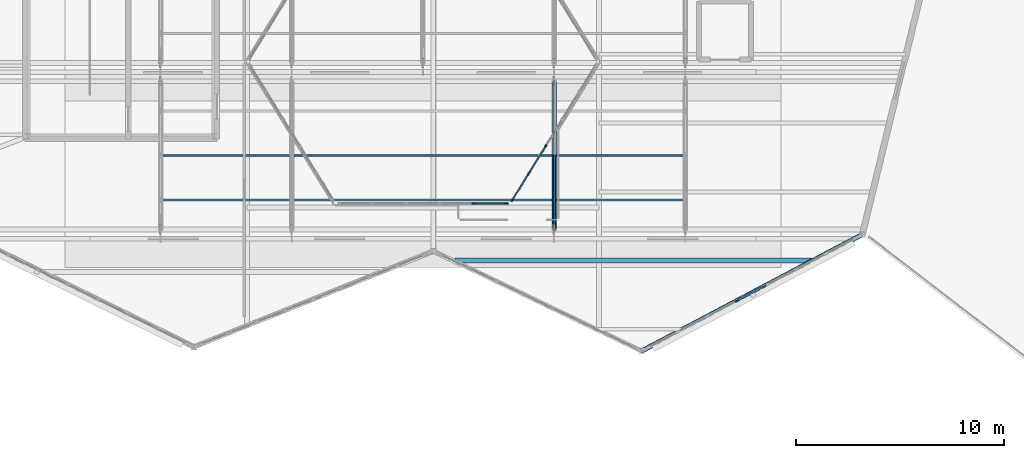
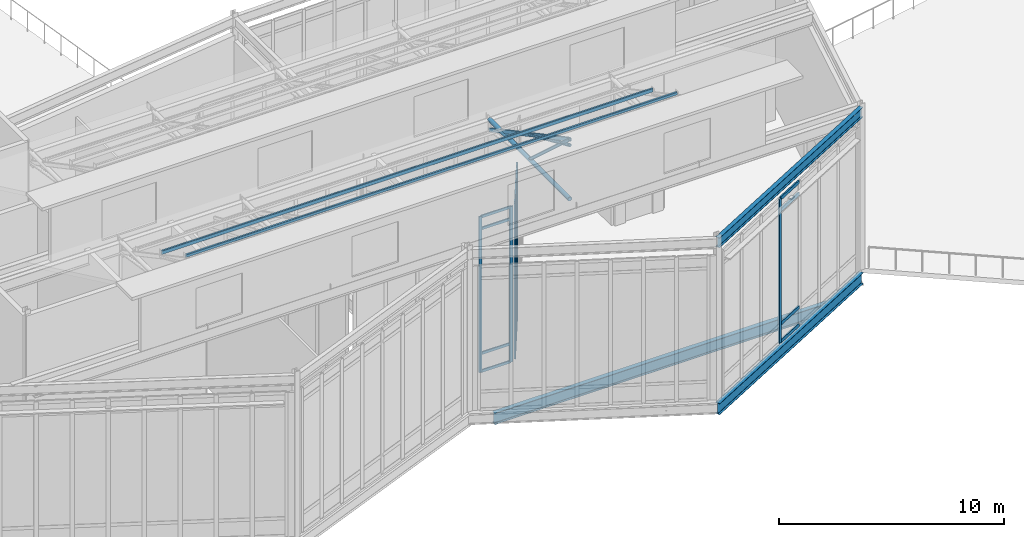
# One storey, part 17 of 66: 26 members, 5 beams, 3 elements without a shape of their own.
"""IFC4 building model written with IfcOpenShell, lengths in metres."""

import ifcopenshell
import ifcopenshell.guid

model = None  # the IFC model being written
_history = None  # IfcOwnerHistory: only IFC2X3 demands one
_inside = {}  # id of a spatial element -> (the spatial element, [elements in it])
_under = {}  # id of a project, library or spatial element -> (it, [spatial elements below it])
_declared = {}  # id of a project -> (the project, [libraries it declares])
_typed = {}  # id of a type object -> (the type object, [elements of that type])
_made_of = {}  # id of a material, layer set ... -> (it, [elements and type objects made of it])


def new_model(schema):
    """Start an empty IFC model of exactly this schema.

    Asked for "IFC4X3", IfcOpenShell would pick the latest addendum, in which some entities
    have other attributes; the version numbers below select the first issue.
    IFC2X3 requires an IfcOwnerHistory on every rooted entity: one is made here for all.
    """
    global model, _history
    if schema == "IFC4X3":
        model = ifcopenshell.file(schema_version=(4, 3, 0, 0))
    else:
        model = ifcopenshell.file(schema=schema)
    _inside.clear()
    _under.clear()
    _declared.clear()
    _typed.clear()
    _made_of.clear()
    _history = None
    if model.schema == "IFC2X3":
        org = make("IfcOrganization", Name="unknown")
        user = make(
            "IfcPersonAndOrganization",
            ThePerson=make("IfcPerson", FamilyName="unknown"),
            TheOrganization=org,
        )
        app = make(
            "IfcApplication",
            ApplicationDeveloper=org,
            Version="unknown",
            ApplicationFullName="unknown",
            ApplicationIdentifier="unknown",
        )
        _history = make(
            "IfcOwnerHistory",
            OwningUser=user,
            OwningApplication=app,
            ChangeAction="ADDED",
            CreationDate=0,
        )
    return model


def make(cls, **values):
    """One entity of the class cls with the attributes given. An attribute that is None is left unset."""
    return model.create_entity(
        cls, **{name: value for name, value in values.items() if value is not None}
    )


def rooted(cls, **values):
    """An entity with a GlobalId (a new one), such as an element, a storey or a relation."""
    return make(cls, GlobalId=ifcopenshell.guid.new(), OwnerHistory=_history, **values)


def si_unit(unit_type, name, prefix=None):
    """IfcSIUnit, for example si_unit("LENGTHUNIT", "METRE", prefix="MILLI")."""
    return make("IfcSIUnit", UnitType=unit_type, Prefix=prefix, Name=name)


def assignment(units):
    """IfcUnitAssignment: the units of a project."""
    return None if units is None else make("IfcUnitAssignment", Units=units)


def point(xyz):
    """IfcCartesianPoint."""
    return None if xyz is None else make("IfcCartesianPoint", Coordinates=xyz)


def direction(xyz):
    """IfcDirection."""
    return None if xyz is None else make("IfcDirection", DirectionRatios=xyz)


def frame(location, z_axis=None, x_axis=None):
    """IfcAxis2Placement3D, a coordinate frame: its origin and axes. An axis left out is left unset."""
    return make(
        "IfcAxis2Placement3D",
        Location=point(location),
        Axis=direction(z_axis),
        RefDirection=direction(x_axis),
    )


def frame_2d(location, x_axis=None):
    """IfcAxis2Placement2D, a coordinate frame in the plane: its origin and x axis."""
    return make(
        "IfcAxis2Placement2D", Location=point(location), RefDirection=direction(x_axis)
    )


def origin():
    """The frame at (0, 0, 0) with its axes left unset."""
    return frame((0.0, 0.0, 0.0))


def origin_2d():
    """The frame at (0, 0) in the plane with its x axis left unset."""
    return frame_2d((0.0, 0.0))


def place(relative_to, where):
    """IfcLocalPlacement: puts the frame where relative to a parent placement (None: the world)."""
    return make(
        "IfcLocalPlacement", PlacementRelTo=relative_to, RelativePlacement=where
    )


def context(
    kind, dimensions, precision=None, world=None, true_north=None, identifier=None
):
    """IfcGeometricRepresentationContext, for example the 3D "Model" context."""
    return make(
        "IfcGeometricRepresentationContext",
        ContextIdentifier=identifier,
        ContextType=kind,
        CoordinateSpaceDimension=dimensions,
        Precision=precision,
        WorldCoordinateSystem=world,
        TrueNorth=true_north,
    )


def subcontext(parent, identifier, kind, view, scale=None):
    """IfcGeometricRepresentationSubContext, for example "Body" below "Model"."""
    return make(
        "IfcGeometricRepresentationSubContext",
        ContextIdentifier=identifier,
        ContextType=kind,
        ParentContext=parent,
        TargetScale=scale,
        TargetView=view,
    )


def project(units=None, contexts=None):
    """IfcProject with its units and contexts."""
    return rooted(
        "IfcProject",
        Name="project",
        RepresentationContexts=contexts,
        UnitsInContext=assignment(units),
    )


def spatial(cls, under=None, at=None, **own):
    """A site, building, storey or space (cls), placed at a placement, below another one or the project."""
    s = rooted(cls, ObjectPlacement=at, **own)
    if under is not None:
        _under.setdefault(under.id(), (under, []))[1].append(s)
    return s


def profile(cls, at=None, kind="AREA", **sizes):
    """A parametric profile (cls). Its sizes go by their IFC names, for example OverallWidth=200.0."""
    return make(cls, ProfileType=kind, Position=at, **sizes)


def rectangle(**sizes):
    """IfcRectangleProfileDef."""
    return profile("IfcRectangleProfileDef", **sizes)


def hollow_rectangle(**sizes):
    """IfcRectangleHollowProfileDef."""
    return profile("IfcRectangleHollowProfileDef", **sizes)


def hollow_circle(**sizes):
    """IfcCircleHollowProfileDef."""
    return profile("IfcCircleHollowProfileDef", **sizes)


def i_section(**sizes):
    """IfcIShapeProfileDef."""
    return profile("IfcIShapeProfileDef", **sizes)


def extrude(swept, where, along, depth):
    """IfcExtrudedAreaSolid: the profile swept, set in the frame where, extruded along a direction by depth."""
    return make(
        "IfcExtrudedAreaSolid",
        SweptArea=swept,
        Position=where,
        ExtrudedDirection=direction(along),
        Depth=depth,
    )


def shape(context_of_items, identifier, shape_type, items):
    """IfcShapeRepresentation: the items that make up one representation, for example the "Body"."""
    return make(
        "IfcShapeRepresentation",
        ContextOfItems=context_of_items,
        RepresentationIdentifier=identifier,
        RepresentationType=shape_type,
        Items=items,
    )


def material(Name=None, Category=None):
    """IfcMaterial."""
    return make("IfcMaterial", Name=Name, Category=Category)


def material_profile(
    of_material, cross_section, Name=None, Category=None, Priority=None
):
    """IfcMaterialProfile: a cross section and its material."""
    return make(
        "IfcMaterialProfile",
        Name=Name,
        Material=of_material,
        Profile=cross_section,
        Priority=Priority,
        Category=Category,
    )


def profile_set(profiles, Name=None, composite=None):
    """IfcMaterialProfileSet."""
    return make(
        "IfcMaterialProfileSet",
        Name=Name,
        MaterialProfiles=profiles,
        CompositeProfile=composite,
    )


def made_of(thing, what):
    """Note that an element or type object is made of a material, layer set ...; save() writes the relation."""
    if what is not None:
        _made_of.setdefault(what.id(), (what, []))[1].append(thing)
    return thing


def type_object(cls, material=None, **own):
    """A type object (cls), such as IfcWallType, which elements share."""
    return made_of(rooted(cls, **own), material)


def element(
    cls,
    number,
    at=None,
    inside=None,
    cuts=None,
    type_object=None,
    material=None,
    context=None,
    identifier="Body",
    shape_type=None,
    held_by="IfcProductDefinitionShape",
    body=None,
    shapes=None,
    **own,
):
    """One element of the class cls, such as IfcWall. Its Tag is "e" and its number.

    at: its placement. inside: the storey or other place that contains it. cuts: it is an
    opening in that element (IfcRelVoidsElement). A single representation is given by context,
    identifier, shape_type and body (its items); several are given by shapes. held_by: the class
    of the entity that holds the representations. save() writes the other relations.
    """
    e = rooted(cls, Tag="e%d" % number, ObjectPlacement=at, **own)
    if body is not None:
        shapes = [shape(context, identifier, shape_type, body)]
    if shapes is not None:
        e.Representation = make(held_by, Representations=shapes)
    if inside is not None:
        _inside.setdefault(inside.id(), (inside, []))[1].append(e)
    if cuts is not None:
        rooted(
            "IfcRelVoidsElement", RelatingBuildingElement=cuts, RelatedOpeningElement=e
        )
    if type_object is not None:
        _typed.setdefault(type_object.id(), (type_object, []))[1].append(e)
    return made_of(e, material)


def aggregate(whole, parts):
    """IfcRelAggregates: a whole, such as a stair, and the parts it consists of."""
    return rooted("IfcRelAggregates", RelatingObject=whole, RelatedObjects=parts)


def save(model, path):
    """Write the relations noted so far, then the file.

    IfcRelAggregates (storeys below a building ...), IfcRelContainedInSpatialStructure (elements
    in a storey), IfcRelDefinesByType, IfcRelAssociatesMaterial and IfcRelDeclares: one each for
    every whole, place, type object, material and project.
    """
    for whole, parts in _under.values():
        aggregate(whole, parts)
    for where, things in _inside.values():
        rooted(
            "IfcRelContainedInSpatialStructure",
            RelatedElements=things,
            RelatingStructure=where,
        )
    for kind, things in _typed.values():
        rooted("IfcRelDefinesByType", RelatedObjects=things, RelatingType=kind)
    for what, things in _made_of.values():
        rooted("IfcRelAssociatesMaterial", RelatedObjects=things, RelatingMaterial=what)
    for by, libraries in _declared.values():
        rooted("IfcRelDeclares", RelatingContext=by, RelatedDefinitions=libraries)
    model.write(path)


model = new_model("IFC4")

# Units and contexts
model_context = context("Model", 3, precision=1e-05, world=origin(), true_north=direction((0.0, 1.0)))
body_context = subcontext(model_context, "Body", "Model", "MODEL_VIEW")
ifc_project = project(units=[si_unit("LENGTHUNIT", "METRE"), si_unit("AREAUNIT", "SQUARE_METRE"), si_unit("VOLUMEUNIT", "CUBIC_METRE"), si_unit("PLANEANGLEUNIT", "RADIAN"), si_unit("MASSUNIT", "GRAM", prefix="KILO")], contexts=[model_context])

# Site, building, storey
site_placement = place(None, origin())
site = spatial("IfcSite", under=ifc_project, at=site_placement, CompositionType="ELEMENT")
building_placement = place(site_placement, origin())
building = spatial("IfcBuilding", under=site, at=building_placement, Name="Tameran Prism Museum", CompositionType="ELEMENT")
storey_placement = place(building_placement, frame((0.0, 0.0, 19.800048828125)))
storey = spatial("IfcBuildingStorey", under=building, at=storey_placement, Name="L04", CompositionType="ELEMENT", Elevation=19.800048828125)

# Beams
ifc_material_1 = material(Name="Steel Grade C350L0 (350 MPa)", Category="steel")
ifc_material_profile_1 = material_profile(ifc_material_1, hollow_rectangle(XDim=0.10009765625, YDim=0.14990234375, WallThickness=0.006103515625, InnerFilletRadius=0.009033203125, OuterFilletRadius=0.014892578125, at=origin_2d()))
ifc_profile_set_1 = profile_set([ifc_material_profile_1])
beam_type_1 = type_object("IfcBeamType", Name="BM-PUR150", PredefinedType="USERDEFINED", material=ifc_profile_set_1)
beam_1_placement = place(storey_placement, frame((64.39990234375, 29.864013671875, 11.4560546875), z_axis=(1.0, 0.0, 0.0), x_axis=(0.0, 1.0, 0.0)))
element("IfcBeam", 1, at=beam_1_placement, inside=storey, type_object=beam_type_1, Name="Sawtooth Purlin PR-031", ObjectType="PURLIN", PredefinedType="USERDEFINED", context=body_context, shape_type="SweptSolid", body=[
    extrude(hollow_rectangle(XDim=0.10009765625, YDim=0.14990234375, WallThickness=0.006103515625, InnerFilletRadius=0.009033203125, OuterFilletRadius=0.014892578125, at=origin_2d()), origin(), (0.0, 0.0, 1.0), 25.2001953125),
])
ifc_material_2 = material(Name="Steel Grade C350L0 (350 MPa)", Category="steel")
ifc_material_profile_2 = material_profile(ifc_material_2, hollow_rectangle(XDim=0.10009765625, YDim=0.199951171875, WallThickness=0.008056640625, InnerFilletRadius=0.011962890625, OuterFilletRadius=0.02001953125, at=origin_2d()))
ifc_profile_set_2 = profile_set([ifc_material_profile_2])
beam_type_2 = type_object("IfcBeamType", Name="BM-PUR200", PredefinedType="USERDEFINED", material=ifc_profile_set_2)
beam_2_placement = place(storey_placement, frame((64.39990234375, 32.0, 10.343994140625), z_axis=(1.0, 0.0, 0.0), x_axis=(0.0, 1.0, 0.0)))
element("IfcBeam", 2, at=beam_2_placement, inside=storey, type_object=beam_type_2, Name="Sawtooth Purlin PR-032", ObjectType="PURLIN", PredefinedType="USERDEFINED", context=body_context, shape_type="SweptSolid", body=[
    extrude(hollow_rectangle(XDim=0.10009765625, YDim=0.199951171875, WallThickness=0.008056640625, InnerFilletRadius=0.011962890625, OuterFilletRadius=0.02001953125, at=origin_2d()), origin(), (0.0, 0.0, 1.0), 25.2001953125),
])
ifc_material_3 = material(Name="Steel Grade 300PLUS (300 MPa)", Category="steel")
ifc_material_profile_3 = material_profile(ifc_material_3, i_section(OverallWidth=0.208984375, OverallDepth=0.528076171875, WebThickness=0.009521484375, FlangeThickness=0.01318359375, FilletRadius=0.013916015625, at=origin_2d()))
ifc_profile_set_3 = profile_set([ifc_material_profile_3])
beam_type_3 = type_object("IfcBeamType", Name="BM-SP530B", PredefinedType="SPANDREL", material=ifc_profile_set_3)
beam_3_placement = place(storey_placement, frame((87.5, 22.60009765625, 8.505859375), z_axis=(0.884200208153, 0.46710811586, 0.0), x_axis=(-0.46710811586, 0.884200208153, 0.0)))
element("IfcBeam", 3, at=beam_3_placement, inside=storey, type_object=beam_type_3, Name="Roof Ring Beam RB-1173", PredefinedType="SPANDREL", context=body_context, shape_type="SweptSolid", body=[
    extrude(i_section(OverallWidth=0.208984375, OverallDepth=0.528076171875, WebThickness=0.009521484375, FlangeThickness=0.01318359375, FilletRadius=0.013916015625, at=origin_2d()), origin(), (0.0, 0.0, 1.0), 11.98828125),
])
ifc_material_4 = material(Name="Steel Grade 300PLUS (300 MPa)", Category="steel")
ifc_material_profile_4 = material_profile(ifc_material_4, i_section(OverallWidth=0.22802734375, OverallDepth=0.60205078125, WebThickness=0.010498046875, FlangeThickness=0.014892578125, FilletRadius=0.013916015625, at=origin_2d()))
ifc_profile_set_4 = profile_set([ifc_material_profile_4])
beam_type_4 = type_object("IfcBeamType", Name="BM-SP610", PredefinedType="SPANDREL", material=ifc_profile_set_4)
beam_4_placement = place(storey_placement, frame((87.5, 22.60009765625, -0.5009765625), z_axis=(0.884200208153, 0.46710811586, 0.0), x_axis=(-0.46710811586, 0.884200208153, 0.0)))
element("IfcBeam", 4, at=beam_4_placement, inside=storey, type_object=beam_type_4, Name="Perimeter Spandrel SP-1168", PredefinedType="SPANDREL", context=body_context, shape_type="SweptSolid", body=[
    extrude(i_section(OverallWidth=0.22802734375, OverallDepth=0.60205078125, WebThickness=0.010498046875, FlangeThickness=0.014892578125, FilletRadius=0.013916015625, at=origin_2d()), origin(), (0.0, 0.0, 1.0), 11.98828125),
])
ifc_material_5 = material(Name="Steel Grade 300PLUS (300 MPa)", Category="steel")
ifc_material_profile_5 = material_profile(ifc_material_5, i_section(OverallWidth=0.22802734375, OverallDepth=0.60693359375, WebThickness=0.01123046875, FlangeThickness=0.017333984375, FilletRadius=0.013916015625, at=origin_2d()))
ifc_profile_set_5 = profile_set([ifc_material_profile_5])
beam_type_5 = type_object("IfcBeamType", Name="BM-UB610B", PredefinedType="BEAM", material=ifc_profile_set_5)
beam_5_placement = place(storey_placement, frame((78.530029296875, 26.949951171875, -0.503662109375), z_axis=(1.0, 0.0, 0.0), x_axis=(0.0, 1.0, 0.0)))
element("IfcBeam", 5, at=beam_5_placement, inside=storey, type_object=beam_type_5, Name="Floor Beam BM-1234", PredefinedType="BEAM", context=body_context, shape_type="SweptSolid", body=[
    extrude(i_section(OverallWidth=0.22802734375, OverallDepth=0.60693359375, WebThickness=0.01123046875, FlangeThickness=0.017333984375, FilletRadius=0.013916015625, at=origin_2d()), origin(), (0.0, 0.0, 1.0), 17.117919921875),
])

# Curtain wall, members
ifc_material_6 = material(Name="Anodised Aluminium 6063-T6 and Cyclone Solar Glass", Category="aluminium")
curtain_wall_type_1 = type_object("IfcCurtainWallType", Name="CW-ATR-810x844", PredefinedType="USERDEFINED", material=ifc_material_6)
curtain_wall_1_placement = place(storey_placement, origin())
curtain_wall_1 = element("IfcCurtainWall", 6, at=curtain_wall_1_placement, inside=storey, type_object=curtain_wall_type_1, Name="Unitised Curtain Wall CW-016", ObjectType="UNITISED CURTAIN WALL", PredefinedType="USERDEFINED")
ifc_material_7 = material(Name="Anodised Aluminium Alloy 6063-T6", Category="aluminium")
ifc_material_profile_6 = material_profile(ifc_material_7, rectangle(XDim=0.06494140625, YDim=0.159912109375, at=origin_2d()))
ifc_profile_set_6 = profile_set([ifc_material_profile_6])
member_type_1 = type_object("IfcMemberType", Name="CW-MUL-A", PredefinedType="MULLION", material=ifc_profile_set_6)
member_1_placement = place(storey_placement, frame((79.429931640625, 29.699951171875, 0.0), z_axis=(0.0, 0.0, 1.0), x_axis=(0.0, 1.0, 0.0)))
member_1 = element("IfcMember", 7, at=member_1_placement, type_object=member_type_1, Name="CW-016 mullion 5", PredefinedType="MULLION", context=body_context, shape_type="SweptSolid", body=[
    extrude(rectangle(XDim=0.06494140625, YDim=0.159912109375, at=origin_2d()), origin(), (0.0, 0.0, 1.0), 8.43994140625),
])
member_2_placement = place(storey_placement, frame((81.017578125, 29.699951171875, 0.0), z_axis=(0.0, 0.0, 1.0), x_axis=(0.0, 1.0, 0.0)))
member_2 = element("IfcMember", 8, at=member_2_placement, type_object=member_type_1, Name="CW-016 mullion 6", PredefinedType="MULLION", context=body_context, shape_type="SweptSolid", body=[
    extrude(rectangle(XDim=0.06494140625, YDim=0.159912109375, at=origin_2d()), origin(), (0.0, 0.0, 1.0), 8.43994140625),
])

ifc_material_8 = material(Name="Anodised Aluminium 6063-T6 and Cyclone Solar Glass", Category="aluminium")
curtain_wall_type_2 = type_object("IfcCurtainWallType", Name="CW-ATR-769x844", PredefinedType="USERDEFINED", material=ifc_material_8)
curtain_wall_2_placement = place(storey_placement, origin())
curtain_wall_2 = element("IfcCurtainWall", 9, at=curtain_wall_2_placement, inside=storey, type_object=curtain_wall_type_2, Name="Unitised Curtain Wall CW-017", ObjectType="UNITISED CURTAIN WALL", PredefinedType="USERDEFINED")
member_3_placement = place(storey_placement, frame((81.296142578125, 29.855712890625, 0.0), z_axis=(0.0, 0.0, 1.0), x_axis=(-0.850791158897, 0.525503952357, 0.0)))
member_3 = element("IfcMember", 10, at=member_3_placement, type_object=member_type_1, Name="CW-017 mullion 1", PredefinedType="MULLION", context=body_context, shape_type="SweptSolid", body=[
    extrude(rectangle(XDim=0.06494140625, YDim=0.159912109375, at=origin_2d()), origin(), (0.0, 0.0, 1.0), 8.43994140625),
])
member_4_placement = place(storey_placement, frame((82.08740234375, 31.13671875, 0.0), z_axis=(0.0, 0.0, 1.0), x_axis=(-0.850791158897, 0.525503952357, 0.0)))
member_4 = element("IfcMember", 11, at=member_4_placement, type_object=member_type_1, Name="CW-017 mullion 2", PredefinedType="MULLION", context=body_context, shape_type="SweptSolid", body=[
    extrude(rectangle(XDim=0.06494140625, YDim=0.159912109375, at=origin_2d()), origin(), (0.0, 0.0, 1.0), 8.43994140625),
])
member_5_placement = place(storey_placement, frame((82.895751953125, 32.445556640625, 0.0), z_axis=(0.0, 0.0, 1.0), x_axis=(-0.850791158897, 0.525503952357, 0.0)))
member_5 = element("IfcMember", 12, at=member_5_placement, type_object=member_type_1, Name="CW-017 mullion 3", PredefinedType="MULLION", context=body_context, shape_type="SweptSolid", body=[
    extrude(rectangle(XDim=0.06494140625, YDim=0.159912109375, at=origin_2d()), origin(), (0.0, 0.0, 1.0), 8.43994140625),
])

# Curtain wall, member
ifc_material_9 = material(Name="Anodised Aluminium 6063-T6 and Cyclone Solar Glass", Category="aluminium")
curtain_wall_type_3 = type_object("IfcCurtainWallType", Name="CW-FAC-1129x782", PredefinedType="USERDEFINED", material=ifc_material_9)
curtain_wall_3_placement = place(storey_placement, origin())
curtain_wall_3 = element("IfcCurtainWall", 13, at=curtain_wall_3_placement, inside=storey, type_object=curtain_wall_type_3, Name="Unitised Curtain Wall CW-161", ObjectType="UNITISED CURTAIN WALL", PredefinedType="USERDEFINED")
ifc_material_10 = material(Name="Anodised Aluminium Alloy 6063-T6", Category="aluminium")
ifc_material_profile_7 = material_profile(ifc_material_10, rectangle(XDim=0.074951171875, YDim=0.199951171875, at=origin_2d()))
ifc_profile_set_7 = profile_set([ifc_material_profile_7])
member_type_2 = type_object("IfcMemberType", Name="CW-MUL-C", PredefinedType="MULLION", material=ifc_profile_set_7)
member_6_placement = place(storey_placement, frame((92.0869140625, 25.023193359375, 0.0), z_axis=(0.0, 0.0, 1.0), x_axis=(0.467155004099, -0.884175436294, 0.0)))
member_6 = element("IfcMember", 14, at=member_6_placement, type_object=member_type_2, Name="CW-161 mullion 5", PredefinedType="MULLION", context=body_context, shape_type="SweptSolid", body=[
    extrude(rectangle(XDim=0.074951171875, YDim=0.199951171875, at=origin_2d()), origin(), (0.0, 0.0, 1.0), 7.820068359375),
])

# Member
ifc_material_11 = material(Name="Anodised Aluminium Alloy 6063-T6", Category="aluminium")
ifc_material_profile_8 = material_profile(ifc_material_11, rectangle(XDim=0.06494140625, YDim=0.139892578125, at=origin_2d()))
ifc_profile_set_8 = profile_set([ifc_material_profile_8])
member_type_3 = type_object("IfcMemberType", Name="CW-TRN-A", PredefinedType="USERDEFINED", material=ifc_profile_set_8)
member_7_placement = place(storey_placement, frame((79.46240234375, 29.699951171875, 0.032470703125), z_axis=(1.0, 0.0, 0.0), x_axis=(0.0, 1.0, 0.0)))
member_7 = element("IfcMember", 15, at=member_7_placement, type_object=member_type_3, Name="CW-016 transom 5.1", ObjectType="TRANSOM", PredefinedType="USERDEFINED", context=body_context, shape_type="SweptSolid", body=[
    extrude(rectangle(XDim=0.06494140625, YDim=0.139892578125, at=origin_2d()), origin(), (0.0, 0.0, 1.0), 1.522705078125),
])

member_8_placement = place(storey_placement, frame((79.46240234375, 29.699951171875, 1.0), z_axis=(1.0, 0.0, 0.0), x_axis=(0.0, 1.0, 0.0)))
member_8 = element("IfcMember", 16, at=member_8_placement, type_object=member_type_3, Name="CW-016 transom 5.2", ObjectType="TRANSOM", PredefinedType="USERDEFINED", context=body_context, shape_type="SweptSolid", body=[
    extrude(rectangle(XDim=0.06494140625, YDim=0.139892578125, at=origin_2d()), origin(), (0.0, 0.0, 1.0), 1.522705078125),
])

member_9_placement = place(storey_placement, frame((79.46240234375, 29.699951171875, 7.760009765625), z_axis=(1.0, 0.0, 0.0), x_axis=(0.0, 1.0, 0.0)))
member_9 = element("IfcMember", 17, at=member_9_placement, type_object=member_type_3, Name="CW-016 transom 5.3", ObjectType="TRANSOM", PredefinedType="USERDEFINED", context=body_context, shape_type="SweptSolid", body=[
    extrude(rectangle(XDim=0.06494140625, YDim=0.139892578125, at=origin_2d()), origin(), (0.0, 0.0, 1.0), 1.522705078125),
])

member_10_placement = place(storey_placement, frame((79.46240234375, 29.699951171875, 8.407470703125), z_axis=(1.0, 0.0, 0.0), x_axis=(0.0, 1.0, 0.0)))
member_10 = element("IfcMember", 18, at=member_10_placement, type_object=member_type_3, Name="CW-016 transom 5.4", ObjectType="TRANSOM", PredefinedType="USERDEFINED", context=body_context, shape_type="SweptSolid", body=[
    extrude(rectangle(XDim=0.06494140625, YDim=0.139892578125, at=origin_2d()), origin(), (0.0, 0.0, 1.0), 1.522705078125),
])

aggregate(curtain_wall_1, [member_1, member_2, member_7, member_8, member_9, member_10])

member_11_placement = place(storey_placement, frame((81.313232421875, 29.88330078125, 0.032470703125), z_axis=(0.525467627301, 0.850813594543, 0.0), x_axis=(-0.850813594543, 0.525467627301, 0.0)))
member_11 = element("IfcMember", 19, at=member_11_placement, type_object=member_type_3, Name="CW-017 transom 1.1", ObjectType="TRANSOM", PredefinedType="USERDEFINED", context=body_context, shape_type="SweptSolid", body=[
    extrude(rectangle(XDim=0.06494140625, YDim=0.139892578125, at=origin_2d()), origin(), (0.0, 0.0, 1.0), 1.440673828125),
])

member_12_placement = place(storey_placement, frame((81.313232421875, 29.88330078125, 1.0), z_axis=(0.525467627301, 0.850813594543, 0.0), x_axis=(-0.850813594543, 0.525467627301, 0.0)))
member_12 = element("IfcMember", 20, at=member_12_placement, type_object=member_type_3, Name="CW-017 transom 1.2", ObjectType="TRANSOM", PredefinedType="USERDEFINED", context=body_context, shape_type="SweptSolid", body=[
    extrude(rectangle(XDim=0.06494140625, YDim=0.139892578125, at=origin_2d()), origin(), (0.0, 0.0, 1.0), 1.440673828125),
])

member_13_placement = place(storey_placement, frame((81.313232421875, 29.88330078125, 7.760009765625), z_axis=(0.525467627301, 0.850813594543, 0.0), x_axis=(-0.850813594543, 0.525467627301, 0.0)))
member_13 = element("IfcMember", 21, at=member_13_placement, type_object=member_type_3, Name="CW-017 transom 1.3", ObjectType="TRANSOM", PredefinedType="USERDEFINED", context=body_context, shape_type="SweptSolid", body=[
    extrude(rectangle(XDim=0.06494140625, YDim=0.139892578125, at=origin_2d()), origin(), (0.0, 0.0, 1.0), 1.440673828125),
])

member_14_placement = place(storey_placement, frame((81.313232421875, 29.88330078125, 8.407470703125), z_axis=(0.525467627301, 0.850813594543, 0.0), x_axis=(-0.850813594543, 0.525467627301, 0.0)))
member_14 = element("IfcMember", 22, at=member_14_placement, type_object=member_type_3, Name="CW-017 transom 1.4", ObjectType="TRANSOM", PredefinedType="USERDEFINED", context=body_context, shape_type="SweptSolid", body=[
    extrude(rectangle(XDim=0.06494140625, YDim=0.139892578125, at=origin_2d()), origin(), (0.0, 0.0, 1.0), 1.440673828125),
])

member_15_placement = place(storey_placement, frame((82.1044921875, 31.16455078125, 0.032470703125), z_axis=(0.525492880722, 0.850797997359, 0.0), x_axis=(-0.850797997359, 0.525492880722, 0.0)))
member_15 = element("IfcMember", 23, at=member_15_placement, type_object=member_type_3, Name="CW-017 transom 2.1", ObjectType="TRANSOM", PredefinedType="USERDEFINED", context=body_context, shape_type="SweptSolid", body=[
    extrude(rectangle(XDim=0.06494140625, YDim=0.139892578125, at=origin_2d()), origin(), (0.0, 0.0, 1.0), 1.47314453125),
])

member_16_placement = place(storey_placement, frame((82.1044921875, 31.16455078125, 1.0), z_axis=(0.525492880722, 0.850797997359, 0.0), x_axis=(-0.850797997359, 0.525492880722, 0.0)))
member_16 = element("IfcMember", 24, at=member_16_placement, type_object=member_type_3, Name="CW-017 transom 2.2", ObjectType="TRANSOM", PredefinedType="USERDEFINED", context=body_context, shape_type="SweptSolid", body=[
    extrude(rectangle(XDim=0.06494140625, YDim=0.139892578125, at=origin_2d()), origin(), (0.0, 0.0, 1.0), 1.47314453125),
])

member_17_placement = place(storey_placement, frame((82.1044921875, 31.16455078125, 7.760009765625), z_axis=(0.525492880722, 0.850797997359, 0.0), x_axis=(-0.850797997359, 0.525492880722, 0.0)))
member_17 = element("IfcMember", 25, at=member_17_placement, type_object=member_type_3, Name="CW-017 transom 2.3", ObjectType="TRANSOM", PredefinedType="USERDEFINED", context=body_context, shape_type="SweptSolid", body=[
    extrude(rectangle(XDim=0.06494140625, YDim=0.139892578125, at=origin_2d()), origin(), (0.0, 0.0, 1.0), 1.47314453125),
])

member_18_placement = place(storey_placement, frame((82.1044921875, 31.16455078125, 8.407470703125), z_axis=(0.525492880722, 0.850797997359, 0.0), x_axis=(-0.850797997359, 0.525492880722, 0.0)))
member_18 = element("IfcMember", 26, at=member_18_placement, type_object=member_type_3, Name="CW-017 transom 2.4", ObjectType="TRANSOM", PredefinedType="USERDEFINED", context=body_context, shape_type="SweptSolid", body=[
    extrude(rectangle(XDim=0.06494140625, YDim=0.139892578125, at=origin_2d()), origin(), (0.0, 0.0, 1.0), 1.47314453125),
])

aggregate(curtain_wall_2, [member_3, member_4, member_5, member_11, member_12, member_13, member_14, member_15, member_16, member_17, member_18])

ifc_material_12 = material(Name="Anodised Aluminium Alloy 6063-T6", Category="aluminium")
ifc_material_profile_9 = material_profile(ifc_material_12, rectangle(XDim=0.074951171875, YDim=0.175048828125, at=origin_2d()))
ifc_profile_set_9 = profile_set([ifc_material_profile_9])
member_type_4 = type_object("IfcMemberType", Name="CW-TRN-C", PredefinedType="USERDEFINED", material=ifc_profile_set_9)
member_19_placement = place(storey_placement, frame((93.479736328125, 25.75927734375, 0.037353515625), z_axis=(-0.884135228504, -0.467231096694, 0.0), x_axis=(0.467231096694, -0.884135228504, 0.0)))
member_19 = element("IfcMember", 27, at=member_19_placement, type_object=member_type_4, Name="CW-161 transom 4.1", ObjectType="TRANSOM", PredefinedType="USERDEFINED", context=body_context, shape_type="SweptSolid", body=[
    extrude(rectangle(XDim=0.074951171875, YDim=0.175048828125, at=origin_2d()), origin(), (0.0, 0.0, 1.0), 1.537841796875),
])

member_20_placement = place(storey_placement, frame((93.479736328125, 25.75927734375, 1.0), z_axis=(-0.884135228504, -0.467231096694, 0.0), x_axis=(0.467231096694, -0.884135228504, 0.0)))
member_20 = element("IfcMember", 28, at=member_20_placement, type_object=member_type_4, Name="CW-161 transom 4.2", ObjectType="TRANSOM", PredefinedType="USERDEFINED", context=body_context, shape_type="SweptSolid", body=[
    extrude(rectangle(XDim=0.074951171875, YDim=0.175048828125, at=origin_2d()), origin(), (0.0, 0.0, 1.0), 1.537841796875),
])

member_21_placement = place(storey_placement, frame((93.479736328125, 25.75927734375, 7.139892578125), z_axis=(-0.884135228504, -0.467231096694, 0.0), x_axis=(0.467231096694, -0.884135228504, 0.0)))
member_21 = element("IfcMember", 29, at=member_21_placement, type_object=member_type_4, Name="CW-161 transom 4.3", ObjectType="TRANSOM", PredefinedType="USERDEFINED", context=body_context, shape_type="SweptSolid", body=[
    extrude(rectangle(XDim=0.074951171875, YDim=0.175048828125, at=origin_2d()), origin(), (0.0, 0.0, 1.0), 1.537841796875),
])

member_22_placement = place(storey_placement, frame((93.479736328125, 25.75927734375, 7.782470703125), z_axis=(-0.884135228504, -0.467231096694, 0.0), x_axis=(0.467231096694, -0.884135228504, 0.0)))
member_22 = element("IfcMember", 30, at=member_22_placement, type_object=member_type_4, Name="CW-161 transom 4.4", ObjectType="TRANSOM", PredefinedType="USERDEFINED", context=body_context, shape_type="SweptSolid", body=[
    extrude(rectangle(XDim=0.074951171875, YDim=0.175048828125, at=origin_2d()), origin(), (0.0, 0.0, 1.0), 1.537841796875),
])

aggregate(curtain_wall_3, [member_6, member_19, member_20, member_21, member_22])

# Members
ifc_material_13 = material(Name="Steel Grade C350L0 (350 MPa)", Category="steel")
ifc_material_profile_10 = material_profile(ifc_material_13, hollow_circle(Radius=0.084228515625, WallThickness=0.007080078125, at=origin_2d()))
ifc_profile_set_10 = profile_set([ifc_material_profile_10])
member_type_5 = type_object("IfcMemberType", Name="MM-BR-CHS168", PredefinedType="BRACE", material=ifc_profile_set_10)
member_23_placement = place(storey_placement, frame((83.300048828125, 32.0, 8.785888671875), z_axis=(0.0, -0.739772474497, 0.672857106656), x_axis=(1.0, 0.0, 0.0)))
element("IfcMember", 31, at=member_23_placement, inside=storey, type_object=member_type_5, Name="Sawtooth Brace STM-0180", PredefinedType="BRACE", context=body_context, shape_type="SweptSolid", body=[
    extrude(hollow_circle(Radius=0.084228515625, WallThickness=0.007080078125, at=origin_2d()), origin(), (0.0, 0.0, 1.0), 4.812255859375),
])
ifc_material_14 = material(Name="Steel Grade C350L0 (350 MPa)", Category="steel")
ifc_material_profile_11 = material_profile(ifc_material_14, hollow_circle(Radius=0.109619140625, WallThickness=0.00830078125, at=origin_2d()))
ifc_profile_set_11 = profile_set([ifc_material_profile_11])
member_type_6 = type_object("IfcMemberType", Name="MM-CH-CHS219", PredefinedType="CHORD", material=ifc_profile_set_11)
member_24_placement = place(storey_placement, frame((83.300048828125, 28.43994140625, 8.785888671875), z_axis=(0.0, 1.0, 0.0), x_axis=(-1.0, 0.0, 0.0)))
element("IfcMember", 32, at=member_24_placement, inside=storey, type_object=member_type_6, Name="Sawtooth Chord STM-0176", PredefinedType="CHORD", context=body_context, shape_type="SweptSolid", body=[
    extrude(hollow_circle(Radius=0.109619140625, WallThickness=0.00830078125, at=origin_2d()), origin(), (0.0, 0.0, 1.0), 7.1201171875),
])
ifc_material_15 = material(Name="Steel Grade C350L0 (350 MPa)", Category="steel")
ifc_material_profile_12 = material_profile(ifc_material_15, hollow_rectangle(XDim=0.10009765625, YDim=0.199951171875, WallThickness=0.008056640625, InnerFilletRadius=0.011962890625, OuterFilletRadius=0.02001953125, at=origin_2d()))
ifc_profile_set_12 = profile_set([ifc_material_profile_12])
member_type_7 = type_object("IfcMemberType", Name="MM-RF-RHS200", PredefinedType="RAFTER", material=ifc_profile_set_12)
member_25_placement = place(storey_placement, frame((83.300048828125, 28.43994140625, 12.02392578125), z_axis=(0.0, 0.882216411875, -0.47084413835), x_axis=(-1.0, 0.0, 0.0)))
element("IfcMember", 33, at=member_25_placement, inside=storey, type_object=member_type_7, Name="Sawtooth Rafter STM-0177", PredefinedType="RAFTER", context=body_context, shape_type="SweptSolid", body=[
    extrude(hollow_rectangle(XDim=0.10009765625, YDim=0.199951171875, WallThickness=0.008056640625, InnerFilletRadius=0.011962890625, OuterFilletRadius=0.02001953125, at=origin_2d()), origin(), (0.0, 0.0, 1.0), 8.07080078125),
])
ifc_material_16 = material(Name="Steel Grade C350L0 (350 MPa)", Category="steel")
ifc_material_profile_13 = material_profile(ifc_material_16, hollow_circle(Radius=0.084228515625, WallThickness=0.007080078125, at=origin_2d()))
ifc_profile_set_13 = profile_set([ifc_material_profile_13])
member_type_8 = type_object("IfcMemberType", Name="MM-ST-CHS168", PredefinedType="STRUT", material=ifc_profile_set_13)
member_26_placement = place(storey_placement, frame((83.300048828125, 28.43994140625, 11.703857421875), z_axis=(0.0, 0.914041454577, -0.405620782647), x_axis=(-1.0, 0.0, 0.0)))
element("IfcMember", 34, at=member_26_placement, inside=storey, type_object=member_type_8, Name="Sawtooth Strut STM-0182", PredefinedType="STRUT", context=body_context, shape_type="SweptSolid", body=[
    extrude(hollow_circle(Radius=0.084228515625, WallThickness=0.007080078125, at=origin_2d()), origin(), (0.0, 0.0, 1.0), 3.894775390625),
])

save(model, "model.ifc")
